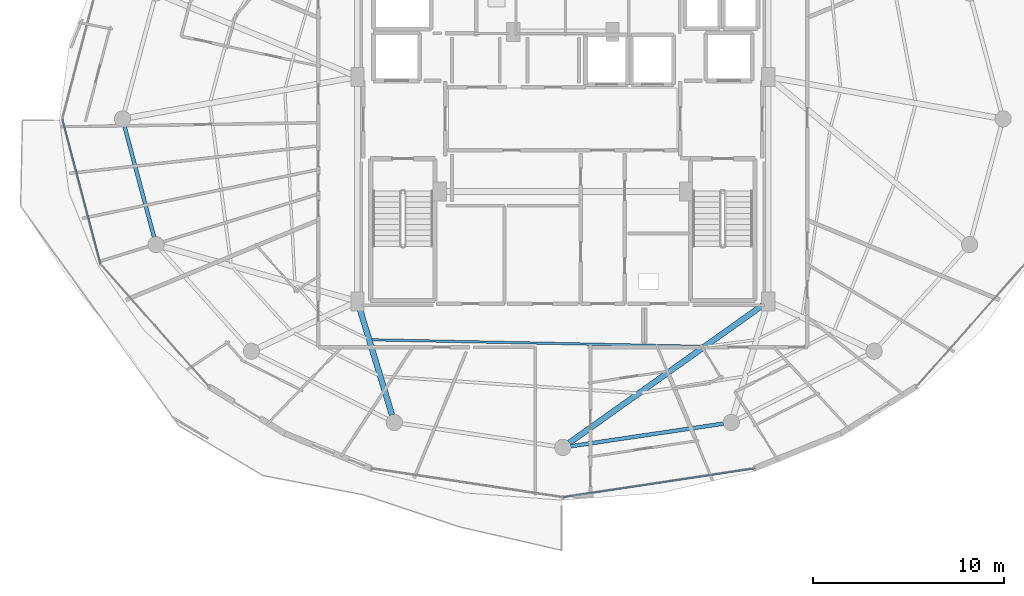
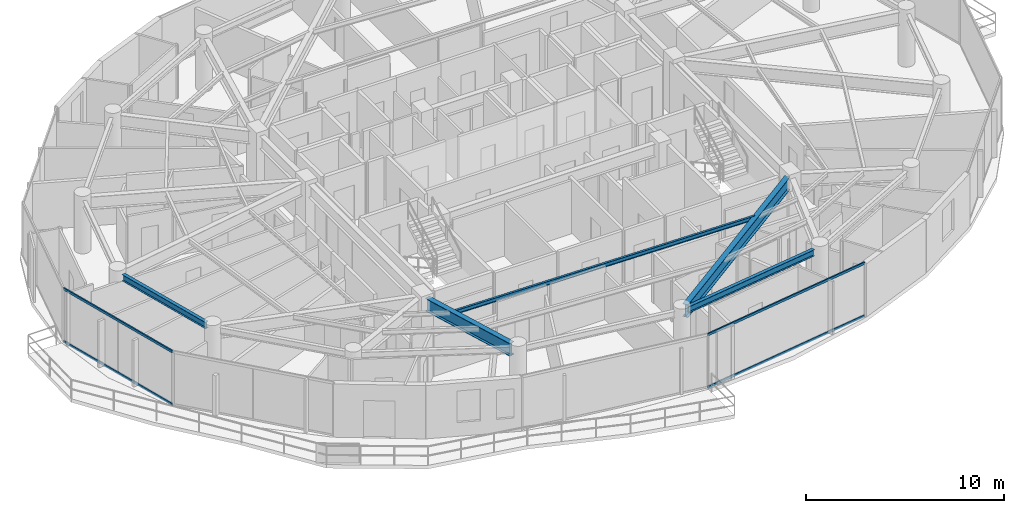
# One storey, part 6 of 31: 5 beams, 4 members, 2 elements without a shape of their own.
"""IFC4 building model written with IfcOpenShell, lengths in metres."""

from ifc_helpers import new_model, si_unit, direction, frame, origin, origin_2d, place, context, subcontext, project, spatial, hollow_rectangle, i_section, extrude, material, material_profile, profile_set, type_object, element, aggregate, save


model = new_model("IFC4")

# Units and contexts
model_context = context("Model", 3, precision=1e-05, world=origin(), true_north=direction((0.0, 1.0)))
body_context = subcontext(model_context, "Body", "Model", "MODEL_VIEW")
ifc_project = project(units=[si_unit("LENGTHUNIT", "METRE"), si_unit("AREAUNIT", "SQUARE_METRE"), si_unit("VOLUMEUNIT", "CUBIC_METRE"), si_unit("PLANEANGLEUNIT", "RADIAN"), si_unit("MASSUNIT", "GRAM", prefix="KILO")], contexts=[model_context])

# Site, building, storey
site_placement = place(None, origin())
site = spatial("IfcSite", under=ifc_project, at=site_placement, CompositionType="ELEMENT")
building_placement = place(site_placement, origin())
building = spatial("IfcBuilding", under=site, at=building_placement, Name="Vorneva Point Tower", CompositionType="ELEMENT")
storey_placement = place(building_placement, frame((0.0, 0.0, 244.89990234375)))
storey = spatial("IfcBuildingStorey", under=building, at=storey_placement, Name="L66", CompositionType="ELEMENT", Elevation=244.89990234375)

# Beams
ifc_material_1 = material(Name="Steel S355", Category="steel")
ifc_material_profile_1 = material_profile(ifc_material_1, i_section(OverallWidth=0.300048828125, OverallDepth=0.7880859375, WebThickness=0.014404296875, FlangeThickness=0.02197265625, at=origin_2d()), Name="80Sh1")
ifc_profile_set_1 = profile_set([ifc_material_profile_1], Name="Steel S355")
beam_type_1 = type_object("IfcBeamType", Name="BM-GRD-80Sh1", PredefinedType="USERDEFINED", material=ifc_profile_set_1)
beam_1_placement = place(storey_placement, frame((29.058837890625, 10.50439453125, 2.89599609375), z_axis=(-0.291032624293, 0.956713129207, 0.0), x_axis=(-0.956713129207, -0.291032624293, 0.0)))
element("IfcBeam", 1, at=beam_1_placement, inside=storey, type_object=beam_type_1, Name="L66 Radial Primary Girder 12", ObjectType="GIRDER", PredefinedType="USERDEFINED", context=body_context, shape_type="SweptSolid", body=[
    extrude(i_section(OverallWidth=0.300048828125, OverallDepth=0.7880859375, WebThickness=0.014404296875, FlangeThickness=0.02197265625, at=origin_2d()), origin(), (0.0, 0.0, 1.0), 5.874755859375),
])
beam_2_placement = place(storey_placement, frame((38.33642578125, 9.03955078125, 2.89599609375), z_axis=(0.814757147543, 0.579802371958, 0.0), x_axis=(-0.579802371958, 0.814757147543, 0.0)))
element("IfcBeam", 2, at=beam_2_placement, inside=storey, type_object=beam_type_1, Name="L66 Radial Primary Girder 13", ObjectType="GIRDER", PredefinedType="USERDEFINED", context=body_context, shape_type="SweptSolid", body=[
    extrude(i_section(OverallWidth=0.300048828125, OverallDepth=0.7880859375, WebThickness=0.014404296875, FlangeThickness=0.02197265625, at=origin_2d()), origin(), (0.0, 0.0, 1.0), 12.441162109375),
])
ifc_material_profile_2 = material_profile(ifc_material_1, i_section(OverallWidth=0.1240234375, OverallDepth=0.248046875, WebThickness=0.0048828125, FlangeThickness=0.008056640625, at=origin_2d()), Name="25B1")
ifc_profile_set_2 = profile_set([ifc_material_profile_2], Name="Steel S355")
beam_type_2 = type_object("IfcBeamType", Name="BM-JST-25B1", PredefinedType="JOIST", material=ifc_profile_set_2)
beam_3_placement = place(storey_placement, frame((28.0, 14.435791015625, 3.166015625), z_axis=(0.999801957281, -0.019900909973, 0.0), x_axis=(0.019900909973, 0.999801957281, 0.0)))
element("IfcBeam", 3, at=beam_3_placement, inside=storey, type_object=beam_type_2, Name="L66 Secondary Floor Beam 2.12", PredefinedType="JOIST", context=body_context, shape_type="SweptSolid", body=[
    extrude(i_section(OverallWidth=0.1240234375, OverallDepth=0.248046875, WebThickness=0.0048828125, FlangeThickness=0.008056640625, at=origin_2d()), origin(), (0.0, 0.0, 1.0), 17.297607421875),
])
ifc_material_profile_3 = material_profile(ifc_material_1, i_section(OverallWidth=0.198974609375, OverallDepth=0.39599609375, WebThickness=0.007080078125, FlangeThickness=0.010986328125, at=origin_2d()), Name="40B1")
ifc_profile_set_3 = profile_set([ifc_material_profile_3], Name="Steel S355")
beam_type_3 = type_object("IfcBeamType", Name="BM-SPN-40B1", PredefinedType="SPANDREL", material=ifc_profile_set_3)
beam_4_placement = place(storey_placement, frame((15.0556640625, 25.603759765625, 3.092041015625), z_axis=(0.257586570866, -0.966255224312, 0.0), x_axis=(0.966255224312, 0.257586570866, 0.0)))
element("IfcBeam", 4, at=beam_4_placement, inside=storey, type_object=beam_type_3, Name="L66 Perimeter Spandrel Ring Beam 09", PredefinedType="SPANDREL", context=body_context, shape_type="SweptSolid", body=[
    extrude(i_section(OverallWidth=0.198974609375, OverallDepth=0.39599609375, WebThickness=0.007080078125, FlangeThickness=0.010986328125, at=origin_2d()), origin(), (0.0, 0.0, 1.0), 5.991943359375),
])
beam_5_placement = place(storey_placement, frame((38.405517578125, 8.860107421875, 3.092041015625), z_axis=(0.989161657331, 0.146830567886, 0.0), x_axis=(-0.146830567886, 0.989161657331, 0.0)))
element("IfcBeam", 5, at=beam_5_placement, inside=storey, type_object=beam_type_3, Name="L66 Perimeter Spandrel Ring Beam 13", PredefinedType="SPANDREL", context=body_context, shape_type="SweptSolid", body=[
    extrude(i_section(OverallWidth=0.198974609375, OverallDepth=0.39599609375, WebThickness=0.007080078125, FlangeThickness=0.010986328125, at=origin_2d()), origin(), (0.0, 0.0, 1.0), 8.097412109375),
])

# Curtain wall, members
ifc_material_2 = material(Name="Pale anodised aluminium", Category="aluminium")
curtain_wall_type = type_object("IfcCurtainWallType", Name="CW-RES-SYS", PredefinedType="NOTDEFINED", material=ifc_material_2)
curtain_wall_1_placement = place(storey_placement, origin())
curtain_wall_1 = element("IfcCurtainWall", 6, at=curtain_wall_1_placement, inside=storey, type_object=curtain_wall_type, Name="L66 Unitised Curtain Wall CW-L66-R03", PredefinedType="NOTDEFINED")
ifc_material_profile_4 = material_profile(ifc_material_2, hollow_rectangle(XDim=0.074951171875, YDim=0.14990234375, WallThickness=0.00390625, at=origin_2d()), Name="AL-TRN 150x75x4")
ifc_profile_set_4 = profile_set([ifc_material_profile_4], Name="Pale anodised aluminium")
member_type = type_object("IfcMemberType", Name="CW-TRN-150", PredefinedType="USERDEFINED", material=ifc_profile_set_4)
member_1_placement = place(storey_placement, frame((11.800048828125, 26.0, 0.02001953125), z_axis=(0.254418180926, -0.967094302131, 0.0), x_axis=(0.967094302131, 0.254418180926, 0.0)))
member_1 = element("IfcMember", 7, at=member_1_placement, type_object=member_type, Name="CW-L66-R03 Transom 03.1", ObjectType="TRANSOM", PredefinedType="USERDEFINED", context=body_context, shape_type="SweptSolid", body=[
    extrude(hollow_rectangle(XDim=0.074951171875, YDim=0.14990234375, WallThickness=0.00390625, at=origin_2d()), origin(), (0.0, 0.0, 1.0), 7.839111328125),
])
member_2_placement = place(storey_placement, frame((11.800048828125, 26.0, 3.27001953125), z_axis=(0.254418180926, -0.967094302131, 0.0), x_axis=(0.967094302131, 0.254418180926, 0.0)))
member_2 = element("IfcMember", 8, at=member_2_placement, type_object=member_type, Name="CW-L66-R03 Transom 03.2", ObjectType="TRANSOM", PredefinedType="USERDEFINED", context=body_context, shape_type="SweptSolid", body=[
    extrude(hollow_rectangle(XDim=0.074951171875, YDim=0.14990234375, WallThickness=0.00390625, at=origin_2d()), origin(), (0.0, 0.0, 1.0), 7.839111328125),
])
aggregate(curtain_wall_1, [member_1, member_2])

curtain_wall_2_placement = place(storey_placement, origin())
curtain_wall_2 = element("IfcCurtainWall", 9, at=curtain_wall_2_placement, inside=storey, type_object=curtain_wall_type, Name="L66 Unitised Curtain Wall CW-L66-R04", PredefinedType="NOTDEFINED")
member_3_placement = place(storey_placement, frame((38.0, 6.18994140625, 0.02001953125), z_axis=(0.988876929856, 0.148736066907, 0.0), x_axis=(-0.148736066907, 0.988876929856, 0.0)))
member_3 = element("IfcMember", 10, at=member_3_placement, type_object=member_type, Name="CW-L66-R04 Transom 02.1", ObjectType="TRANSOM", PredefinedType="USERDEFINED", context=body_context, shape_type="SweptSolid", body=[
    extrude(hollow_rectangle(XDim=0.074951171875, YDim=0.14990234375, WallThickness=0.00390625, at=origin_2d()), origin(), (0.0, 0.0, 1.0), 10.13916015625),
])
member_4_placement = place(storey_placement, frame((38.0, 6.18994140625, 3.27001953125), z_axis=(0.988876929856, 0.148736066907, 0.0), x_axis=(-0.148736066907, 0.988876929856, 0.0)))
member_4 = element("IfcMember", 11, at=member_4_placement, type_object=member_type, Name="CW-L66-R04 Transom 02.2", ObjectType="TRANSOM", PredefinedType="USERDEFINED", context=body_context, shape_type="SweptSolid", body=[
    extrude(hollow_rectangle(XDim=0.074951171875, YDim=0.14990234375, WallThickness=0.00390625, at=origin_2d()), origin(), (0.0, 0.0, 1.0), 10.13916015625),
])
aggregate(curtain_wall_2, [member_3, member_4])

save(model, "model.ifc")
